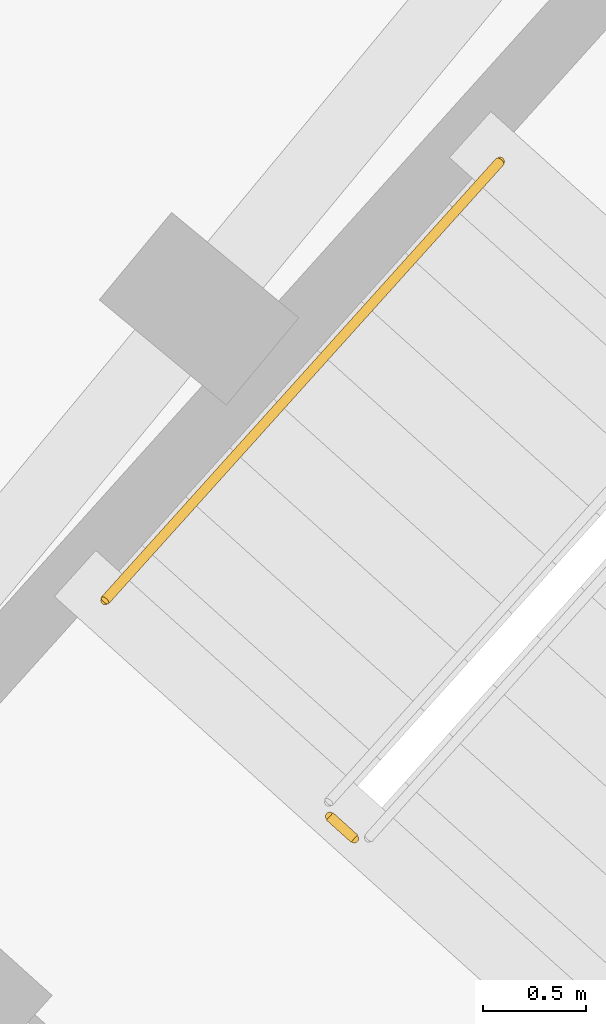
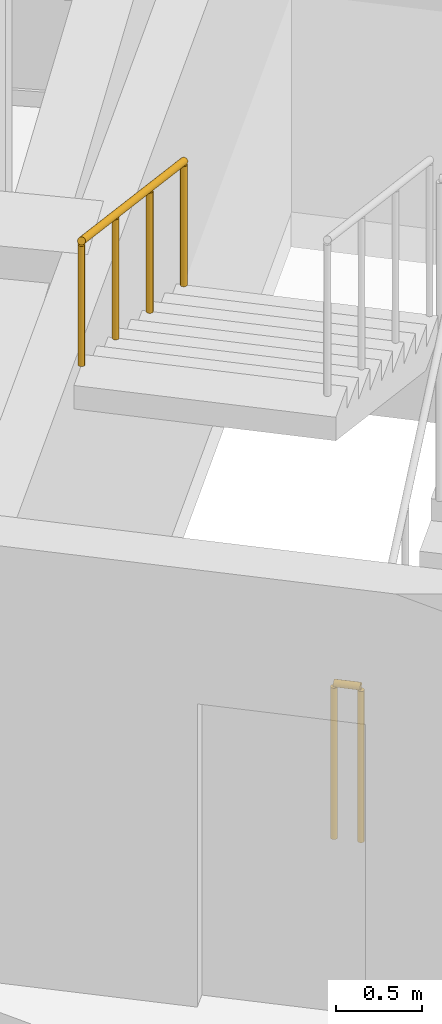
# One storey, part 51 of 56: 2 railings.
"""IFC4 building model written with IfcOpenShell, lengths in metres."""

from ifc_helpers import new_model, si_unit, direction, frame, origin, origin_2d, place, context, subcontext, project, spatial, circle, extrude, material, type_object, element, save


model = new_model("IFC4")

# Units and contexts
model_context = context("Model", 3, precision=1e-05, world=origin(), true_north=direction((0.0, 1.0)))
body_context = subcontext(model_context, "Body", "Model", "MODEL_VIEW")
ifc_project = project(units=[si_unit("LENGTHUNIT", "METRE"), si_unit("AREAUNIT", "SQUARE_METRE"), si_unit("VOLUMEUNIT", "CUBIC_METRE"), si_unit("PLANEANGLEUNIT", "RADIAN"), si_unit("MASSUNIT", "GRAM", prefix="KILO")], contexts=[model_context])

# Site, building, storey
site_placement = place(None, origin())
site = spatial("IfcSite", under=ifc_project, at=site_placement, CompositionType="ELEMENT")
building_placement = place(site_placement, origin())
building = spatial("IfcBuilding", under=site, at=building_placement, Name="Zimvara Arc Housing Community", CompositionType="ELEMENT")
storey_placement = place(building_placement, frame((0.0, 0.0, 17.39990234375)))
storey = spatial("IfcBuildingStorey", under=building, at=storey_placement, Name="L05", CompositionType="ELEMENT", Elevation=17.39990234375)

# Railings
ifc_material_1 = material(Name="Anodised Aluminium AW-6063", Category="aluminium")
railing_type_1 = type_object("IfcRailingType", Name="RLG-BAL-1120", PredefinedType="BALUSTRADE", material=ifc_material_1)
railing_1_placement = place(storey_placement, frame((80.074951171875, 83.3623046875, 0.0)))
element("IfcRailing", 1, at=railing_1_placement, inside=storey, type_object=railing_type_1, Name="L05 ST-B2 stair guard 4", PredefinedType="BALUSTRADE", context=body_context, shape_type="SweptSolid", body=[
    extrude(circle(Radius=0.02392578125, at=origin_2d()), frame((0.0, 0.0, 1.09619140625), z_axis=(-0.742763048172, 0.669554369913, 0.0), x_axis=(-0.669554369913, -0.742763048172, 0.0)), (0.0, 0.0, 1.0), 0.16015625),
    extrude(circle(Radius=0.02099609375, at=origin_2d()), origin(), (0.0, 0.0, 1.0), 1.072021484375),
    extrude(circle(Radius=0.02099609375, at=origin_2d()), frame((-0.118896484375, 0.107177734375, 0.0)), (0.0, 0.0, 1.0), 1.072021484375),
])
ifc_material_2 = material(Name="Anodised Aluminium AW-6063", Category="aluminium")
railing_type_2 = type_object("IfcRailingType", Name="RLG-HND-900", PredefinedType="HANDRAIL", material=ifc_material_2)
railing_2_placement = place(storey_placement, frame((80.78125, 86.64404296875, 1.705078125)))
element("IfcRailing", 2, at=railing_2_placement, inside=storey, type_object=railing_type_2, Name="L05 ST-B2 stair handrail 2", PredefinedType="HANDRAIL", context=body_context, shape_type="SweptSolid", body=[
    extrude(circle(Radius=0.02392578125, at=origin_2d()), frame((0.0, 0.0, 0.8759765625), z_axis=(-0.601262536038, -0.668205807809, 0.438160200347), x_axis=(0.743362010683, -0.668889319, 0.0)), (0.0, 0.0, 1.0), 3.183837890625),
    extrude(circle(Radius=0.02099609375, at=origin_2d()), origin(), (0.0, 0.0, 1.0), 0.851806640625),
    extrude(circle(Radius=0.02099609375, at=origin_2d()), frame((-0.63818359375, -0.709228515625, 0.465087890625)), (0.0, 0.0, 1.0), 0.851806640625),
    extrude(circle(Radius=0.02099609375, at=origin_2d()), frame((-1.276123046875, -1.418212890625, 0.929931640625)), (0.0, 0.0, 1.0), 0.851806640625),
    extrude(circle(Radius=0.02099609375, at=origin_2d()), frame((-1.914306640625, -2.12744140625, 1.39501953125)), (0.0, 0.0, 1.0), 0.851806640625),
])

save(model, "model.ifc")
